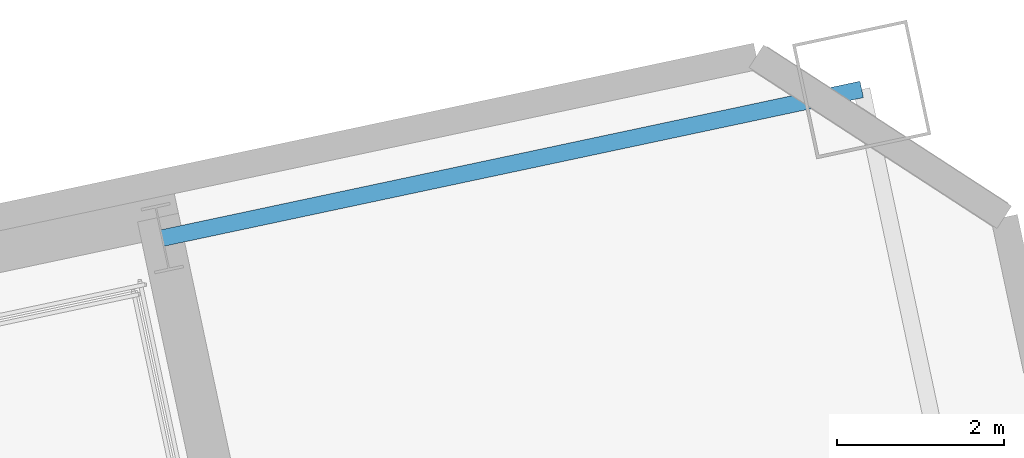
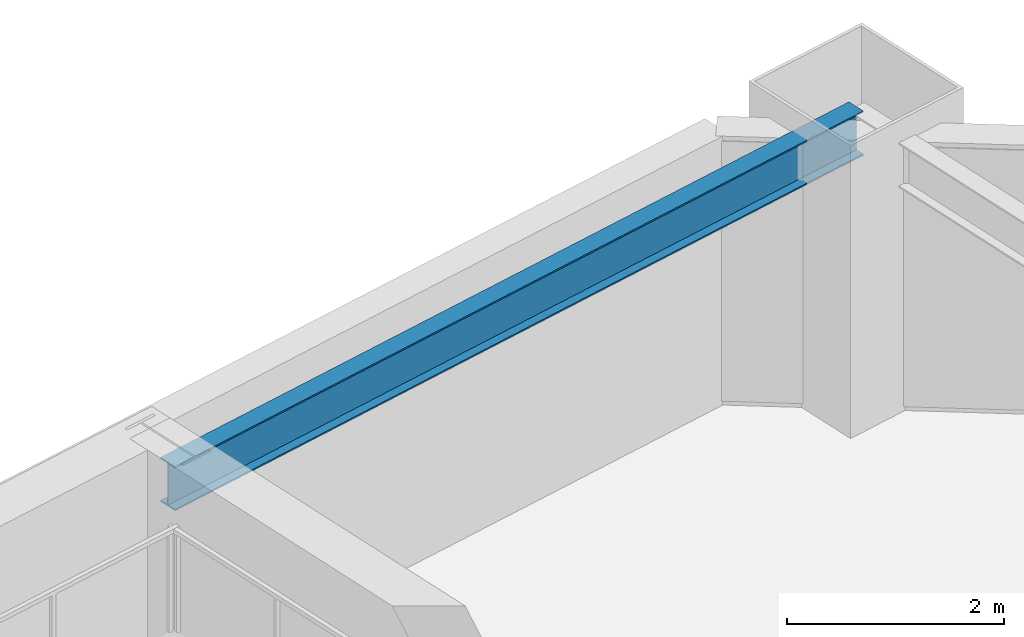
# One storey, part 9 of 22: 1 beam.
"""IFC4 building model written with IfcOpenShell, lengths in metres."""

from ifc_helpers import new_model, si_unit, direction, frame, origin, origin_2d, place, context, subcontext, project, spatial, i_section, extrude, material, material_profile, profile_set, type_object, element, save


model = new_model("IFC4")

# Units and contexts
model_context = context("Model", 3, precision=1e-05, world=origin(), true_north=direction((0.0, 1.0)))
body_context = subcontext(model_context, "Body", "Model", "MODEL_VIEW")
ifc_project = project(units=[si_unit("LENGTHUNIT", "METRE"), si_unit("AREAUNIT", "SQUARE_METRE"), si_unit("VOLUMEUNIT", "CUBIC_METRE"), si_unit("PLANEANGLEUNIT", "RADIAN"), si_unit("MASSUNIT", "GRAM", prefix="KILO")], contexts=[model_context])

# Site, building, storey
site_placement = place(None, origin())
site = spatial("IfcSite", under=ifc_project, at=site_placement, CompositionType="ELEMENT")
building_placement = place(site_placement, origin())
building = spatial("IfcBuilding", under=site, at=building_placement, Name="Haevon Station Towers", CompositionType="ELEMENT")
storey_placement = place(building_placement, frame((0.0, 0.0, 93.300048828125)))
storey = spatial("IfcBuildingStorey", under=building, at=storey_placement, Name="L24", CompositionType="ELEMENT", Elevation=93.300048828125)

# Beam
ifc_material = material(Name="Steel S355", Category="steel")
ifc_material_profile = material_profile(ifc_material, i_section(OverallWidth=0.199951171875, OverallDepth=0.5, WebThickness=0.010009765625, FlangeThickness=0.01611328125, at=origin_2d()), Name="H-500x200x10x16")
ifc_profile_set = profile_set([ifc_material_profile], Name="Steel S355")
beam_type = type_object("IfcBeamType", Name="BM-SP500", PredefinedType="SPANDREL", material=ifc_profile_set)
beam_placement = place(storey_placement, frame((117.349365234375, 50.954345703125, 2.800048828125), z_axis=(0.978149560998, 0.207902468287, 0.0), x_axis=(-0.207902468287, 0.978149560998, 0.0)))
element("IfcBeam", 1, at=beam_placement, inside=storey, type_object=beam_type, Name="BM-T2U-L24-04-04", PredefinedType="SPANDREL", context=body_context, shape_type="SweptSolid", body=[
    extrude(i_section(OverallWidth=0.199951171875, OverallDepth=0.5, WebThickness=0.010009765625, FlangeThickness=0.01611328125, at=origin_2d()), origin(), (0.0, 0.0, 1.0), 8.550048828125),
])

save(model, "model.ifc")
